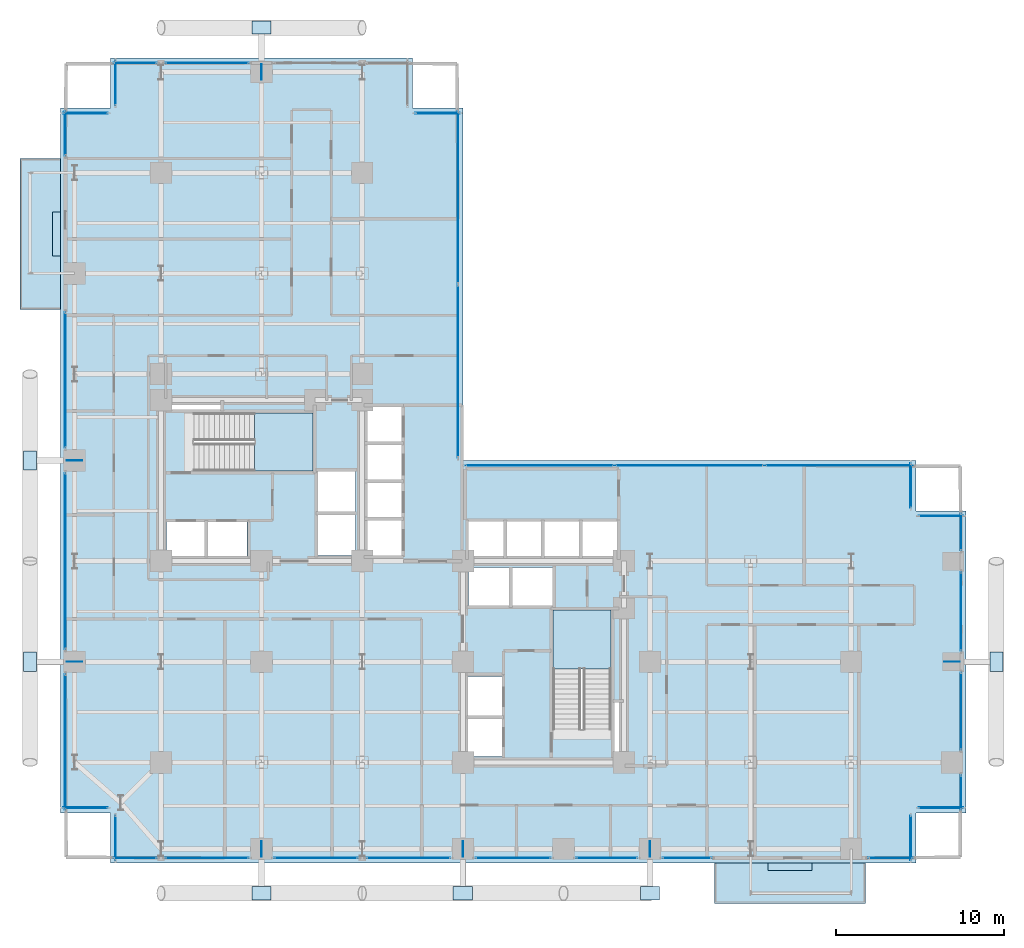
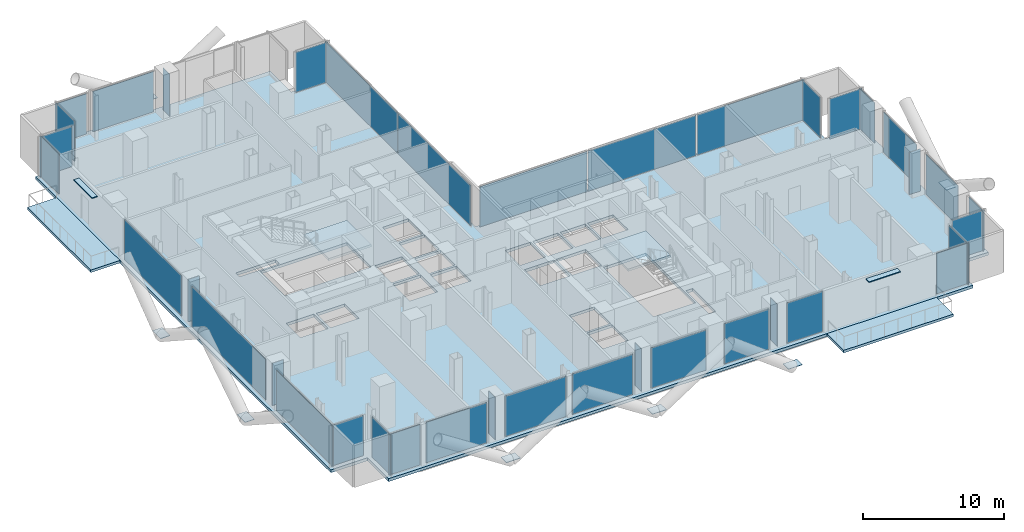
# One storey, part 17 of 27: 48 plates, 5 slabs, 31 elements without a shape of their own.
"""IFC4 building model written with IfcOpenShell, lengths in metres."""

from ifc_helpers import new_model, si_unit, direction, frame, origin, origin_2d, place, context, subcontext, project, spatial, polyline, rectangle, outline, extrude, material, layer, layer_set, type_object, element, aggregate, save


model = new_model("IFC4")

# Units and contexts
model_context = context("Model", 3, precision=1e-05, world=origin(), true_north=direction((0.0, 1.0)))
body_context = subcontext(model_context, "Body", "Model", "MODEL_VIEW")
ifc_project = project(units=[si_unit("LENGTHUNIT", "METRE"), si_unit("AREAUNIT", "SQUARE_METRE"), si_unit("VOLUMEUNIT", "CUBIC_METRE"), si_unit("PLANEANGLEUNIT", "RADIAN"), si_unit("MASSUNIT", "GRAM", prefix="KILO"), si_unit("THERMODYNAMICTEMPERATUREUNIT", "KELVIN"), si_unit("POWERUNIT", "WATT")], contexts=[model_context])

# Site, building, storey
site_placement = place(None, origin())
site = spatial("IfcSite", under=ifc_project, at=site_placement, CompositionType="ELEMENT")
building_placement = place(site_placement, origin())
building = spatial("IfcBuilding", under=site, at=building_placement, Name="Svarakhadi Broadcast Tower", CompositionType="ELEMENT")
storey_placement = place(building_placement, frame((0.0, 0.0, 75.300048828125)))
storey = spatial("IfcBuildingStorey", under=building, at=storey_placement, Name="L17", CompositionType="ELEMENT", Elevation=75.300048828125)

# Curtain wall, plate
ifc_material_1 = material(Name="Anodised Bronze Aluminium AA 6063-T6", Category="aluminium")
ifc_layer_1 = layer(ifc_material_1, 0.219970703125)
ifc_layer_set_1 = layer_set([ifc_layer_1], Name="Anodised Bronze Aluminium AA 6063-T6")
curtain_wall_type = type_object("IfcCurtainWallType", Name="CW_Sys_02", PredefinedType="NOTDEFINED", material=ifc_layer_set_1)
curtain_wall_1_placement = place(storey_placement, origin())
curtain_wall_1 = element("IfcCurtainWall", 1, at=curtain_wall_1_placement, inside=storey, type_object=curtain_wall_type, Name="L17 Unitised Facade Curtain Wall 01", PredefinedType="NOTDEFINED")
ifc_material_2 = material(Name="Double Low-E Laminated Acoustic Glass IGU 36 mm", Category="glass")
ifc_layer_2 = layer(ifc_material_2, 0.035888671875)
ifc_layer_set_2 = layer_set([ifc_layer_2], Name="Double Low-E Laminated Acoustic Glass IGU 36 mm")
plate_type_1 = type_object("IfcPlateType", Name="CW_Sys_02_Pnl", PredefinedType="CURTAIN_PANEL", material=ifc_layer_set_2)
plate_1_placement = place(storey_placement, frame((1.5, 3.300048828125, 0.074951171875), z_axis=(0.0, 0.0, 1.0), x_axis=(-1.0, 0.0, 0.0)))
plate_1 = element("IfcPlate", 2, at=plate_1_placement, type_object=plate_type_1, Name="CW-02 panel 1.1", PredefinedType="CURTAIN_PANEL", context=body_context, shape_type="SweptSolid", body=[
    extrude(rectangle(XDim=2.64990234375, YDim=0.035888671875, at=origin_2d()), origin(), (0.0, 0.0, 1.0), 3.5),
])
aggregate(curtain_wall_1, [plate_1])

curtain_wall_2_placement = place(storey_placement, origin())
curtain_wall_2 = element("IfcCurtainWall", 3, at=curtain_wall_2_placement, inside=storey, type_object=curtain_wall_type, Name="L17 West Curtain Wall 02 Bay 1", PredefinedType="NOTDEFINED")
plate_2_placement = place(storey_placement, frame((0.300048828125, 7.2099609375, 0.074951171875), z_axis=(0.0, 0.0, 1.0), x_axis=(0.0, 1.0, 0.0)))
plate_2 = element("IfcPlate", 4, at=plate_2_placement, type_object=plate_type_1, Name="CW-02 panel 1.1", PredefinedType="CURTAIN_PANEL", context=body_context, shape_type="SweptSolid", body=[
    extrude(rectangle(XDim=8.070068359375, YDim=0.035888671875, at=origin_2d()), origin(), (0.0, 0.0, 1.0), 3.5),
])
aggregate(curtain_wall_2, [plate_2])

curtain_wall_3_placement = place(storey_placement, origin())
curtain_wall_3 = element("IfcCurtainWall", 5, at=curtain_wall_3_placement, inside=storey, type_object=curtain_wall_type, Name="L17 West Curtain Wall 02 Bay 2", PredefinedType="NOTDEFINED")
plate_3_placement = place(storey_placement, frame((0.300048828125, 18.0, 0.074951171875), z_axis=(0.0, 0.0, 1.0), x_axis=(0.0, 1.0, 0.0)))
plate_3 = element("IfcPlate", 6, at=plate_3_placement, type_object=plate_type_1, Name="CW-02 panel 1.1", PredefinedType="CURTAIN_PANEL", context=body_context, shape_type="SweptSolid", body=[
    extrude(rectangle(XDim=10.489990234375, YDim=0.035888671875, at=origin_2d()), origin(), (0.0, 0.0, 1.0), 3.5),
])
aggregate(curtain_wall_3, [plate_3])

curtain_wall_4_placement = place(storey_placement, origin())
curtain_wall_4 = element("IfcCurtainWall", 7, at=curtain_wall_4_placement, inside=storey, type_object=curtain_wall_type, Name="L17 West Curtain Wall 02 Bay 3", PredefinedType="NOTDEFINED")
plate_4_placement = place(storey_placement, frame((0.300048828125, 28.7900390625, 0.074951171875), z_axis=(0.0, 0.0, 1.0), x_axis=(0.0, 1.0, 0.0)))
plate_4 = element("IfcPlate", 8, at=plate_4_placement, type_object=plate_type_1, Name="CW-02 panel 1.1", PredefinedType="CURTAIN_PANEL", context=body_context, shape_type="SweptSolid", body=[
    extrude(rectangle(XDim=8.070068359375, YDim=0.035888671875, at=origin_2d()), origin(), (0.0, 0.0, 1.0), 3.5),
])
aggregate(curtain_wall_4, [plate_4])

curtain_wall_5_placement = place(storey_placement, origin())
curtain_wall_5 = element("IfcCurtainWall", 9, at=curtain_wall_5_placement, inside=storey, type_object=curtain_wall_type, Name="L17 West Curtain Wall 03", PredefinedType="NOTDEFINED")
plate_5_placement = place(storey_placement, frame((0.300048828125, 43.5, 0.074951171875), z_axis=(0.0, 0.0, 1.0), x_axis=(0.0, 1.0, 0.0)))
plate_5 = element("IfcPlate", 10, at=plate_5_placement, type_object=plate_type_1, Name="CW-02 panel 1.1", PredefinedType="CURTAIN_PANEL", context=body_context, shape_type="SweptSolid", body=[
    extrude(rectangle(XDim=2.64990234375, YDim=0.035888671875, at=origin_2d()), origin(), (0.0, 0.0, 1.0), 3.5),
])
aggregate(curtain_wall_5, [plate_5])

curtain_wall_6_placement = place(storey_placement, origin())
curtain_wall_6 = element("IfcCurtainWall", 11, at=curtain_wall_6_placement, inside=storey, type_object=curtain_wall_type, Name="L17 Unitised Facade Curtain Wall 04", PredefinedType="NOTDEFINED")
plate_6_placement = place(storey_placement, frame((1.5, 44.699951171875, 0.074951171875), z_axis=(0.0, 0.0, 1.0), x_axis=(1.0, 0.0, 0.0)))
plate_6 = element("IfcPlate", 12, at=plate_6_placement, type_object=plate_type_1, Name="CW-02 panel 1.1", PredefinedType="CURTAIN_PANEL", context=body_context, shape_type="SweptSolid", body=[
    extrude(rectangle(XDim=2.64990234375, YDim=0.035888671875, at=origin_2d()), origin(), (0.0, 0.0, 1.0), 3.5),
])
aggregate(curtain_wall_6, [plate_6])

curtain_wall_7_placement = place(storey_placement, origin())
curtain_wall_7 = element("IfcCurtainWall", 13, at=curtain_wall_7_placement, inside=storey, type_object=curtain_wall_type, Name="L17 Unitised Facade Curtain Wall 05", PredefinedType="NOTDEFINED")
plate_7_placement = place(storey_placement, frame((3.300048828125, 46.5, 0.074951171875), z_axis=(0.0, 0.0, 1.0), x_axis=(0.0, 1.0, 0.0)))
plate_7 = element("IfcPlate", 14, at=plate_7_placement, type_object=plate_type_1, Name="CW-02 panel 1.1", PredefinedType="CURTAIN_PANEL", context=body_context, shape_type="SweptSolid", body=[
    extrude(rectangle(XDim=2.64990234375, YDim=0.035888671875, at=origin_2d()), origin(), (0.0, 0.0, 1.0), 3.5),
])
aggregate(curtain_wall_7, [plate_7])

curtain_wall_8_placement = place(storey_placement, origin())
curtain_wall_8 = element("IfcCurtainWall", 15, at=curtain_wall_8_placement, inside=storey, type_object=curtain_wall_type, Name="L17 Unitised Facade Curtain Wall 06 Bay 1", PredefinedType="NOTDEFINED")
plate_8_placement = place(storey_placement, frame((4.4599609375, 47.699951171875, 0.074951171875), z_axis=(0.0, 0.0, 1.0), x_axis=(1.0, 0.0, 0.0)))
plate_8 = element("IfcPlate", 16, at=plate_8_placement, type_object=plate_type_1, Name="CW-02 panel 1.1", PredefinedType="CURTAIN_PANEL", context=body_context, shape_type="SweptSolid", body=[
    extrude(rectangle(XDim=2.570068359375, YDim=0.035888671875, at=origin_2d()), origin(), (0.0, 0.0, 1.0), 3.5),
])
aggregate(curtain_wall_8, [plate_8])

curtain_wall_9_placement = place(storey_placement, origin())
curtain_wall_9 = element("IfcCurtainWall", 17, at=curtain_wall_9_placement, inside=storey, type_object=curtain_wall_type, Name="L17 Unitised Facade Curtain Wall 06 Bay 2", PredefinedType="NOTDEFINED")
plate_9_placement = place(storey_placement, frame((8.75, 47.699951171875, 0.074951171875), z_axis=(0.0, 0.0, 1.0), x_axis=(1.0, 0.0, 0.0)))
plate_9 = element("IfcPlate", 18, at=plate_9_placement, type_object=plate_type_1, Name="CW-02 panel 1.1", PredefinedType="CURTAIN_PANEL", context=body_context, shape_type="SweptSolid", body=[
    extrude(rectangle(XDim=4.989990234375, YDim=0.035888671875, at=origin_2d()), origin(), (0.0, 0.0, 1.0), 3.5),
])
aggregate(curtain_wall_9, [plate_9])

curtain_wall_10_placement = place(storey_placement, origin())
curtain_wall_10 = element("IfcCurtainWall", 19, at=curtain_wall_10_placement, inside=storey, type_object=curtain_wall_type, Name="L17 Unitised Facade Curtain Wall 08", PredefinedType="NOTDEFINED")
plate_10_placement = place(storey_placement, frame((22.5, 44.699951171875, 0.074951171875), z_axis=(0.0, 0.0, 1.0), x_axis=(1.0, 0.0, 0.0)))
plate_10 = element("IfcPlate", 20, at=plate_10_placement, type_object=plate_type_1, Name="CW-02 panel 1.1", PredefinedType="CURTAIN_PANEL", context=body_context, shape_type="SweptSolid", body=[
    extrude(rectangle(XDim=2.64990234375, YDim=0.035888671875, at=origin_2d()), origin(), (0.0, 0.0, 1.0), 3.5),
])
aggregate(curtain_wall_10, [plate_10])

# Curtain wall, plates
curtain_wall_11_placement = place(storey_placement, origin())
curtain_wall_11 = element("IfcCurtainWall", 21, at=curtain_wall_11_placement, inside=storey, type_object=curtain_wall_type, Name="L17 Unitised Facade Curtain Wall 09", PredefinedType="NOTDEFINED")
plate_11_placement = place(storey_placement, frame((23.699951171875, 39.683837890625, 0.074951171875), z_axis=(0.0, 0.0, 1.0), x_axis=(0.0, -1.0, 0.0)))
plate_11 = element("IfcPlate", 22, at=plate_11_placement, type_object=plate_type_1, Name="CW-02 panel 1.1", PredefinedType="CURTAIN_PANEL", context=body_context, shape_type="SweptSolid", body=[
    extrude(rectangle(XDim=10.282470703125, YDim=0.035888671875, at=origin_2d()), origin(), (0.0, 0.0, 1.0), 3.5),
])
plate_12_placement = place(storey_placement, frame((23.699951171875, 29.316162109375, 0.074951171875), z_axis=(0.0, 0.0, 1.0), x_axis=(0.0, -1.0, 0.0)))
plate_12 = element("IfcPlate", 23, at=plate_12_placement, type_object=plate_type_1, Name="CW-02 panel 2.1", PredefinedType="CURTAIN_PANEL", context=body_context, shape_type="SweptSolid", body=[
    extrude(rectangle(XDim=10.282470703125, YDim=0.035888671875, at=origin_2d()), origin(), (0.0, 0.0, 1.0), 3.5),
])
aggregate(curtain_wall_11, [plate_11, plate_12])

curtain_wall_12_placement = place(storey_placement, origin())
curtain_wall_12 = element("IfcCurtainWall", 24, at=curtain_wall_12_placement, inside=storey, type_object=curtain_wall_type, Name="L17 Unitised Facade Curtain Wall 10", PredefinedType="NOTDEFINED")
plate_13_placement = place(storey_placement, frame((28.581298828125, 23.699951171875, 0.074951171875), z_axis=(0.0, 0.0, 1.0), x_axis=(1.0, 0.0, 0.0)))
plate_13 = element("IfcPlate", 25, at=plate_13_placement, type_object=plate_type_1, Name="CW-02 panel 1.1", PredefinedType="CURTAIN_PANEL", context=body_context, shape_type="SweptSolid", body=[
    extrude(rectangle(XDim=8.8125, YDim=0.035888671875, at=origin_2d()), origin(), (0.0, 0.0, 1.0), 3.5),
])
plate_14_placement = place(storey_placement, frame((37.5, 23.699951171875, 0.074951171875), z_axis=(0.0, 0.0, 1.0), x_axis=(1.0, 0.0, 0.0)))
plate_14 = element("IfcPlate", 26, at=plate_14_placement, type_object=plate_type_1, Name="CW-02 panel 2.1", PredefinedType="CURTAIN_PANEL", context=body_context, shape_type="SweptSolid", body=[
    extrude(rectangle(XDim=8.85498046875, YDim=0.035888671875, at=origin_2d()), origin(), (0.0, 0.0, 1.0), 3.5),
])
plate_15_placement = place(storey_placement, frame((46.418701171875, 23.699951171875, 0.074951171875), z_axis=(0.0, 0.0, 1.0), x_axis=(1.0, 0.0, 0.0)))
plate_15 = element("IfcPlate", 27, at=plate_15_placement, type_object=plate_type_1, Name="CW-02 panel 3.1", PredefinedType="CURTAIN_PANEL", context=body_context, shape_type="SweptSolid", body=[
    extrude(rectangle(XDim=8.8125, YDim=0.035888671875, at=origin_2d()), origin(), (0.0, 0.0, 1.0), 3.5),
])
aggregate(curtain_wall_12, [plate_13, plate_14, plate_15])

# Curtain wall, plate
curtain_wall_13_placement = place(storey_placement, origin())
curtain_wall_13 = element("IfcCurtainWall", 28, at=curtain_wall_13_placement, inside=storey, type_object=curtain_wall_type, Name="L17 Unitised Facade Curtain Wall 11", PredefinedType="NOTDEFINED")
plate_16_placement = place(storey_placement, frame((50.699951171875, 22.5, 0.074951171875), z_axis=(0.0, 0.0, 1.0), x_axis=(0.0, -1.0, 0.0)))
plate_16 = element("IfcPlate", 29, at=plate_16_placement, type_object=plate_type_1, Name="CW-02 panel 1.1", PredefinedType="CURTAIN_PANEL", context=body_context, shape_type="SweptSolid", body=[
    extrude(rectangle(XDim=2.64990234375, YDim=0.035888671875, at=origin_2d()), origin(), (0.0, 0.0, 1.0), 3.5),
])
aggregate(curtain_wall_13, [plate_16])

curtain_wall_14_placement = place(storey_placement, origin())
curtain_wall_14 = element("IfcCurtainWall", 30, at=curtain_wall_14_placement, inside=storey, type_object=curtain_wall_type, Name="L17 Unitised Facade Curtain Wall 12", PredefinedType="NOTDEFINED")
plate_17_placement = place(storey_placement, frame((52.5, 20.699951171875, 0.074951171875), z_axis=(0.0, 0.0, 1.0), x_axis=(1.0, 0.0, 0.0)))
plate_17 = element("IfcPlate", 31, at=plate_17_placement, type_object=plate_type_1, Name="CW-02 panel 1.1", PredefinedType="CURTAIN_PANEL", context=body_context, shape_type="SweptSolid", body=[
    extrude(rectangle(XDim=2.64990234375, YDim=0.035888671875, at=origin_2d()), origin(), (0.0, 0.0, 1.0), 3.5),
])
aggregate(curtain_wall_14, [plate_17])

curtain_wall_15_placement = place(storey_placement, origin())
curtain_wall_15 = element("IfcCurtainWall", 32, at=curtain_wall_15_placement, inside=storey, type_object=curtain_wall_type, Name="L17 Unitised Facade Curtain Wall 13 Bay 1", PredefinedType="NOTDEFINED")
plate_18_placement = place(storey_placement, frame((53.699951171875, 19.739990234375, 0.074951171875), z_axis=(0.0, 0.0, 1.0), x_axis=(0.0, -1.0, 0.0)))
plate_18 = element("IfcPlate", 33, at=plate_18_placement, type_object=plate_type_1, Name="CW-02 panel 1.1", PredefinedType="CURTAIN_PANEL", context=body_context, shape_type="SweptSolid", body=[
    extrude(rectangle(XDim=2.169921875, YDim=0.035888671875, at=origin_2d()), origin(), (0.0, 0.0, 1.0), 3.5),
])
aggregate(curtain_wall_15, [plate_18])

curtain_wall_16_placement = place(storey_placement, origin())
curtain_wall_16 = element("IfcCurtainWall", 34, at=curtain_wall_16_placement, inside=storey, type_object=curtain_wall_type, Name="L17 Unitised Facade Curtain Wall 13 Bay 2", PredefinedType="NOTDEFINED")
plate_19_placement = place(storey_placement, frame((53.699951171875, 15.0, 0.074951171875), z_axis=(0.0, 0.0, 1.0), x_axis=(0.0, -1.0, 0.0)))
plate_19 = element("IfcPlate", 35, at=plate_19_placement, type_object=plate_type_1, Name="CW-02 panel 1.1", PredefinedType="CURTAIN_PANEL", context=body_context, shape_type="SweptSolid", body=[
    extrude(rectangle(XDim=4.68994140625, YDim=0.035888671875, at=origin_2d()), origin(), (0.0, 0.0, 1.0), 3.5),
])
aggregate(curtain_wall_16, [plate_19])

curtain_wall_17_placement = place(storey_placement, origin())
curtain_wall_17 = element("IfcCurtainWall", 36, at=curtain_wall_17_placement, inside=storey, type_object=curtain_wall_type, Name="L17 Unitised Facade Curtain Wall 13 Bay 3", PredefinedType="NOTDEFINED")
plate_20_placement = place(storey_placement, frame((53.699951171875, 9.050048828125, 0.074951171875), z_axis=(0.0, 0.0, 1.0), x_axis=(0.0, -1.0, 0.0)))
plate_20 = element("IfcPlate", 37, at=plate_20_placement, type_object=plate_type_1, Name="CW-02 panel 1.1", PredefinedType="CURTAIN_PANEL", context=body_context, shape_type="SweptSolid", body=[
    extrude(rectangle(XDim=4.590087890625, YDim=0.035888671875, at=origin_2d()), origin(), (0.0, 0.0, 1.0), 3.5),
])
aggregate(curtain_wall_17, [plate_20])

curtain_wall_18_placement = place(storey_placement, origin())
curtain_wall_18 = element("IfcCurtainWall", 38, at=curtain_wall_18_placement, inside=storey, type_object=curtain_wall_type, Name="L17 Unitised Facade Curtain Wall 13 Bay 4", PredefinedType="NOTDEFINED")
plate_21_placement = place(storey_placement, frame((53.699951171875, 4.2099609375, 0.074951171875), z_axis=(0.0, 0.0, 1.0), x_axis=(0.0, -1.0, 0.0)))
plate_21 = element("IfcPlate", 39, at=plate_21_placement, type_object=plate_type_1, Name="CW-02 panel 1.1", PredefinedType="CURTAIN_PANEL", context=body_context, shape_type="SweptSolid", body=[
    extrude(rectangle(XDim=2.070068359375, YDim=0.035888671875, at=origin_2d()), origin(), (0.0, 0.0, 1.0), 3.5),
])
aggregate(curtain_wall_18, [plate_21])

curtain_wall_19_placement = place(storey_placement, origin())
curtain_wall_19 = element("IfcCurtainWall", 40, at=curtain_wall_19_placement, inside=storey, type_object=curtain_wall_type, Name="L17 Unitised Facade Curtain Wall 14", PredefinedType="NOTDEFINED")
plate_22_placement = place(storey_placement, frame((52.5, 3.300048828125, 0.074951171875), z_axis=(0.0, 0.0, 1.0), x_axis=(-1.0, 0.0, 0.0)))
plate_22 = element("IfcPlate", 41, at=plate_22_placement, type_object=plate_type_1, Name="CW-02 panel 1.1", PredefinedType="CURTAIN_PANEL", context=body_context, shape_type="SweptSolid", body=[
    extrude(rectangle(XDim=2.64990234375, YDim=0.035888671875, at=origin_2d()), origin(), (0.0, 0.0, 1.0), 3.5),
])
aggregate(curtain_wall_19, [plate_22])

curtain_wall_20_placement = place(storey_placement, origin())
curtain_wall_20 = element("IfcCurtainWall", 42, at=curtain_wall_20_placement, inside=storey, type_object=curtain_wall_type, Name="L17 Unitised Facade Curtain Wall 15", PredefinedType="NOTDEFINED")
plate_23_placement = place(storey_placement, frame((50.699951171875, 1.5, 0.074951171875), z_axis=(0.0, 0.0, 1.0), x_axis=(0.0, -1.0, 0.0)))
plate_23 = element("IfcPlate", 43, at=plate_23_placement, type_object=plate_type_1, Name="CW-02 panel 1.1", PredefinedType="CURTAIN_PANEL", context=body_context, shape_type="SweptSolid", body=[
    extrude(rectangle(XDim=2.64990234375, YDim=0.035888671875, at=origin_2d()), origin(), (0.0, 0.0, 1.0), 3.5),
])
aggregate(curtain_wall_20, [plate_23])

curtain_wall_21_placement = place(storey_placement, origin())
curtain_wall_21 = element("IfcCurtainWall", 44, at=curtain_wall_21_placement, inside=storey, type_object=curtain_wall_type, Name="L17 South Curtain Wall 16", PredefinedType="NOTDEFINED")
plate_24_placement = place(storey_placement, frame((49.5, 0.300048828125, 0.074951171875), z_axis=(0.0, 0.0, 1.0), x_axis=(-1.0, 0.0, 0.0)))
plate_24 = element("IfcPlate", 45, at=plate_24_placement, type_object=plate_type_1, Name="CW-02 panel 1.1", PredefinedType="CURTAIN_PANEL", context=body_context, shape_type="SweptSolid", body=[
    extrude(rectangle(XDim=2.64990234375, YDim=0.035888671875, at=origin_2d()), origin(), (0.0, 0.0, 1.0), 3.5),
])
aggregate(curtain_wall_21, [plate_24])

curtain_wall_22_placement = place(storey_placement, origin())
curtain_wall_22 = element("IfcCurtainWall", 46, at=curtain_wall_22_placement, inside=storey, type_object=curtain_wall_type, Name="L17 South Curtain Wall 17 Bay 1", PredefinedType="NOTDEFINED")
plate_25_placement = place(storey_placement, frame((37.364990234375, 0.300048828125, 0.074951171875), z_axis=(0.0, 0.0, 1.0), x_axis=(-1.0, 0.0, 0.0)))
plate_25 = element("IfcPlate", 47, at=plate_25_placement, type_object=plate_type_1, Name="CW-02 panel 1.1", PredefinedType="CURTAIN_PANEL", context=body_context, shape_type="SweptSolid", body=[
    extrude(rectangle(XDim=2.919921875, YDim=0.035888671875, at=origin_2d()), origin(), (0.0, 0.0, 1.0), 3.5),
])
aggregate(curtain_wall_22, [plate_25])

curtain_wall_23_placement = place(storey_placement, origin())
curtain_wall_23 = element("IfcCurtainWall", 48, at=curtain_wall_23_placement, inside=storey, type_object=curtain_wall_type, Name="L17 South Curtain Wall 17 Bay 2", PredefinedType="NOTDEFINED")
plate_26_placement = place(storey_placement, frame((32.574951171875, 0.300048828125, 0.074951171875), z_axis=(0.0, 0.0, 1.0), x_axis=(-1.0, 0.0, 0.0)))
plate_26 = element("IfcPlate", 49, at=plate_26_placement, type_object=plate_type_1, Name="CW-02 panel 1.1", PredefinedType="CURTAIN_PANEL", context=body_context, shape_type="SweptSolid", body=[
    extrude(rectangle(XDim=3.639892578125, YDim=0.035888671875, at=origin_2d()), origin(), (0.0, 0.0, 1.0), 3.5),
])
aggregate(curtain_wall_23, [plate_26])

curtain_wall_24_placement = place(storey_placement, origin())
curtain_wall_24 = element("IfcCurtainWall", 50, at=curtain_wall_24_placement, inside=storey, type_object=curtain_wall_type, Name="L17 South Curtain Wall 17 Bay 3", PredefinedType="NOTDEFINED")
plate_27_placement = place(storey_placement, frame((27.0, 0.300048828125, 0.074951171875), z_axis=(0.0, 0.0, 1.0), x_axis=(-1.0, 0.0, 0.0)))
plate_27 = element("IfcPlate", 51, at=plate_27_placement, type_object=plate_type_1, Name="CW-02 panel 1.1", PredefinedType="CURTAIN_PANEL", context=body_context, shape_type="SweptSolid", body=[
    extrude(rectangle(XDim=4.489990234375, YDim=0.035888671875, at=origin_2d()), origin(), (0.0, 0.0, 1.0), 3.5),
])
aggregate(curtain_wall_24, [plate_27])

curtain_wall_25_placement = place(storey_placement, origin())
curtain_wall_25 = element("IfcCurtainWall", 52, at=curtain_wall_25_placement, inside=storey, type_object=curtain_wall_type, Name="L17 South Curtain Wall 17 Bay 4", PredefinedType="NOTDEFINED")
plate_28_placement = place(storey_placement, frame((20.75, 0.300048828125, 0.074951171875), z_axis=(0.0, 0.0, 1.0), x_axis=(-1.0, 0.0, 0.0)))
plate_28 = element("IfcPlate", 53, at=plate_28_placement, type_object=plate_type_1, Name="CW-02 panel 1.1", PredefinedType="CURTAIN_PANEL", context=body_context, shape_type="SweptSolid", body=[
    extrude(rectangle(XDim=4.989990234375, YDim=0.035888671875, at=origin_2d()), origin(), (0.0, 0.0, 1.0), 3.5),
])
aggregate(curtain_wall_25, [plate_28])

curtain_wall_26_placement = place(storey_placement, origin())
curtain_wall_26 = element("IfcCurtainWall", 54, at=curtain_wall_26_placement, inside=storey, type_object=curtain_wall_type, Name="L17 South Curtain Wall 17 Bay 5", PredefinedType="NOTDEFINED")
plate_29_placement = place(storey_placement, frame((15.25, 0.300048828125, 0.074951171875), z_axis=(0.0, 0.0, 1.0), x_axis=(-1.0, 0.0, 0.0)))
plate_29 = element("IfcPlate", 55, at=plate_29_placement, type_object=plate_type_1, Name="CW-02 panel 1.1", PredefinedType="CURTAIN_PANEL", context=body_context, shape_type="SweptSolid", body=[
    extrude(rectangle(XDim=4.989990234375, YDim=0.035888671875, at=origin_2d()), origin(), (0.0, 0.0, 1.0), 3.5),
])
aggregate(curtain_wall_26, [plate_29])

curtain_wall_27_placement = place(storey_placement, origin())
curtain_wall_27 = element("IfcCurtainWall", 56, at=curtain_wall_27_placement, inside=storey, type_object=curtain_wall_type, Name="L17 South Curtain Wall 17 Bay 6", PredefinedType="NOTDEFINED")
plate_30_placement = place(storey_placement, frame((8.75, 0.300048828125, 0.074951171875), z_axis=(0.0, 0.0, 1.0), x_axis=(-1.0, 0.0, 0.0)))
plate_30 = element("IfcPlate", 57, at=plate_30_placement, type_object=plate_type_1, Name="CW-02 panel 1.1", PredefinedType="CURTAIN_PANEL", context=body_context, shape_type="SweptSolid", body=[
    extrude(rectangle(XDim=4.989990234375, YDim=0.035888671875, at=origin_2d()), origin(), (0.0, 0.0, 1.0), 3.5),
])
aggregate(curtain_wall_27, [plate_30])

curtain_wall_28_placement = place(storey_placement, origin())
curtain_wall_28 = element("IfcCurtainWall", 58, at=curtain_wall_28_placement, inside=storey, type_object=curtain_wall_type, Name="L17 South Curtain Wall 17 Bay 7", PredefinedType="NOTDEFINED")
plate_31_placement = place(storey_placement, frame((4.4599609375, 0.300048828125, 0.074951171875), z_axis=(0.0, 0.0, 1.0), x_axis=(-1.0, 0.0, 0.0)))
plate_31 = element("IfcPlate", 59, at=plate_31_placement, type_object=plate_type_1, Name="CW-02 panel 1.1", PredefinedType="CURTAIN_PANEL", context=body_context, shape_type="SweptSolid", body=[
    extrude(rectangle(XDim=2.570068359375, YDim=0.035888671875, at=origin_2d()), origin(), (0.0, 0.0, 1.0), 3.5),
])
aggregate(curtain_wall_28, [plate_31])

curtain_wall_29_placement = place(storey_placement, origin())
curtain_wall_29 = element("IfcCurtainWall", 60, at=curtain_wall_29_placement, inside=storey, type_object=curtain_wall_type, Name="L17 Unitised Facade Curtain Wall 18", PredefinedType="NOTDEFINED")
plate_32_placement = place(storey_placement, frame((3.300048828125, 1.5, 0.074951171875), z_axis=(0.0, 0.0, 1.0), x_axis=(0.0, 1.0, 0.0)))
plate_32 = element("IfcPlate", 61, at=plate_32_placement, type_object=plate_type_1, Name="CW-02 panel 1.1", PredefinedType="CURTAIN_PANEL", context=body_context, shape_type="SweptSolid", body=[
    extrude(rectangle(XDim=2.64990234375, YDim=0.035888671875, at=origin_2d()), origin(), (0.0, 0.0, 1.0), 3.5),
])
aggregate(curtain_wall_29, [plate_32])

# Plates
ifc_material_3 = material(Name="Steel S460ML (IS 2062 E450BR)", Category="steel")
ifc_layer_3 = layer(ifc_material_3, 0.035888671875)
ifc_layer_set_3 = layer_set([ifc_layer_3], Name="Steel S460ML (IS 2062 E450BR)")
plate_type_2 = type_object("IfcPlateType", Name="Node_Gusset_N01", PredefinedType="SHEET", material=ifc_layer_set_3)
for number, where, z_axis, x_axis, name in (
    (62, (12.0, -1.800048828125, -0.25), (0.0, 0.0, 1.0), (1.0, 0.0, 0.0), "L17 Exoskeleton Gusset Node Plate S01"),
    (63, (24.0, -1.800048828125, -0.25), (0.0, 0.0, 1.0), (1.0, 0.0, 0.0), "L17 Exoskeleton Gusset Node Plate S02"),
    (64, (35.14990234375, -1.800048828125, -0.25), (0.0, 0.0, 1.0), (1.0, 0.0, 0.0), "L17 Exoskeleton Gusset Node Plate S03"),
    (65, (-1.800048828125, 12.0, -0.25), (0.0, 0.0, 1.0), (0.0, 1.0, 0.0), "L17 Exoskeleton Gusset Node Plate W04"),
    (66, (-1.800048828125, 24.0, -0.25), (0.0, 0.0, 1.0), (0.0, 1.0, 0.0), "L17 Exoskeleton Gusset Node Plate W05"),
    (67, (55.800048828125, 12.0, -0.25), (0.0, 0.0, 1.0), (0.0, 1.0, 0.0), "L17 Exoskeleton Gusset Node Plate E06"),
    (68, (12.0, 49.800048828125, -0.25), (0.0, 0.0, 1.0), (1.0, 0.0, 0.0), "L17 Exoskeleton Gusset Node Plate N07"),
):
    element("IfcPlate", number, at=place(storey_placement, frame(where, z_axis=z_axis, x_axis=x_axis)), inside=storey, type_object=plate_type_2, Name=name, PredefinedType="SHEET", context=body_context, shape_type="SweptSolid", body=[
        extrude(rectangle(XDim=1.14990234375, YDim=0.780029296875, at=origin_2d()), origin(), (0.0, 0.0, 1.0), 0.035888671875),
    ])
ifc_layer_4 = layer(ifc_material_3, 0.02587890625)
ifc_layer_set_4 = layer_set([ifc_layer_4], Name="Steel S460ML (IS 2062 E450BR)")
plate_type_3 = type_object("IfcPlateType", Name="Node_Gusset_N07", PredefinedType="SHEET", material=ifc_layer_set_4)
for number, where, z_axis, x_axis, name in (
    (69, (12.0, 0.85009765625, -0.6279296875), (0.0, 0.0, 1.0), (0.0, 1.0, 0.0), "L17 Brace End Connection Gusset Plate N-07-E0122"),
    (70, (24.0, 0.85009765625, -0.6279296875), (0.0, 0.0, 1.0), (0.0, 1.0, 0.0), "L17 Brace End Connection Gusset Plate N-07-E0123"),
    (71, (35.14990234375, 0.85009765625, -0.6279296875), (0.0, 0.0, 1.0), (0.0, 1.0, 0.0), "L17 Brace End Connection Gusset Plate N-07-E0124"),
    (72, (0.85009765625, 12.0, -0.6279296875), (0.0, 0.0, 1.0), (1.0, 0.0, 0.0), "L17 Brace End Connection Gusset Plate N-07-E0125"),
    (73, (0.85009765625, 24.0, -0.6279296875), (0.0, 0.0, 1.0), (1.0, 0.0, 0.0), "L17 Brace End Connection Gusset Plate N-07-E0126"),
    (74, (53.14990234375, 12.0, -0.6279296875), (0.0, 0.0, 1.0), (1.0, 0.0, 0.0), "L17 Brace End Connection Gusset Plate N-07-E0127"),
    (75, (12.0, 47.14990234375, -0.6279296875), (0.0, 0.0, 1.0), (0.0, 1.0, 0.0), "L17 Brace End Connection Gusset Plate N-07-E0128"),
):
    element("IfcPlate", number, at=place(storey_placement, frame(where, z_axis=z_axis, x_axis=x_axis)), inside=storey, type_object=plate_type_3, Name=name, PredefinedType="SHEET", context=body_context, shape_type="SweptSolid", body=[
        extrude(rectangle(XDim=0.919921875, YDim=0.02587890625, at=origin_2d()), origin(), (0.0, 0.0, 1.0), 4.300048828125),
    ])

# Slab
ifc_material_4 = material(Name="Concrete C40/50 (IS 456 M50)", Category="concrete")
ifc_layer_5 = layer(ifc_material_4, 0.25)
ifc_layer_set_5 = layer_set([ifc_layer_5], Name="Concrete C40/50 (IS 456 M50)")
slab_type_1 = type_object("IfcSlabType", Name="Slab_Floor_250", PredefinedType="FLOOR", material=ifc_layer_set_5)
slab_1_placement = place(storey_placement, frame((0.0, 0.0, -0.25)))
element("IfcSlab", 76, at=slab_1_placement, inside=storey, type_object=slab_type_1, Name="L17 Structural Floor Slab", PredefinedType="FLOOR", context=body_context, shape_type="SweptSolid", body=[
    extrude(outline(polyline([(3.0, 0.0), (51.0, 0.0), (51.0, 3.0), (54.0, 3.0), (54.0, 21.0), (51.0, 21.0), (51.0, 24.0), (24.0, 24.0), (24.0, 45.0), (21.0, 45.0), (21.0, 48.0), (3.0, 48.0), (3.0, 45.0), (0.0, 45.0), (0.0, 3.0), (3.0, 3.0), (3.0, 0.0)]), holes=[polyline([(7.97998046875, 23.360107421875), (15.080078125, 23.360107421875), (15.080078125, 26.840087890625), (7.97998046875, 26.840087890625), (7.97998046875, 23.360107421875)]), polyline([(32.840087890625, 7.97998046875), (32.840087890625, 15.080078125), (29.360107421875, 15.080078125), (29.360107421875, 7.97998046875), (32.840087890625, 7.97998046875)]), polyline([(6.340087890625, 18.2900390625), (8.610107421875, 18.2900390625), (8.610107421875, 20.330078125), (6.340087890625, 20.330078125), (6.340087890625, 18.2900390625)]), polyline([(8.7900390625, 18.2900390625), (11.1298828125, 18.2900390625), (11.1298828125, 20.330078125), (8.7900390625, 20.330078125), (8.7900390625, 18.2900390625)]), polyline([(24.2900390625, 6.340087890625), (26.330078125, 6.340087890625), (26.330078125, 8.610107421875), (24.2900390625, 8.610107421875), (24.2900390625, 6.340087890625)]), polyline([(24.2900390625, 8.7900390625), (26.330078125, 8.7900390625), (26.330078125, 11.1298828125), (24.2900390625, 11.1298828125), (24.2900390625, 8.7900390625)]), polyline([(6.340087890625, 26.989990234375), (9.610107421875, 26.989990234375), (9.610107421875, 27.530029296875), (6.340087890625, 27.530029296875), (6.340087890625, 26.989990234375)]), polyline([(32.989990234375, 6.340087890625), (33.530029296875, 6.340087890625), (33.530029296875, 9.610107421875), (32.989990234375, 9.610107421875), (32.989990234375, 6.340087890625)]), polyline([(15.340087890625, 18.340087890625), (17.610107421875, 18.340087890625), (17.610107421875, 20.760009765625), (15.340087890625, 20.760009765625), (15.340087890625, 18.340087890625)]), polyline([(15.340087890625, 20.93994140625), (17.610107421875, 20.93994140625), (17.610107421875, 23.360107421875), (15.340087890625, 23.360107421875), (15.340087890625, 20.93994140625)]), polyline([(24.340087890625, 15.340087890625), (26.760009765625, 15.340087890625), (26.760009765625, 17.610107421875), (24.340087890625, 17.610107421875), (24.340087890625, 15.340087890625)]), polyline([(26.93994140625, 15.340087890625), (29.360107421875, 15.340087890625), (29.360107421875, 17.610107421875), (26.93994140625, 17.610107421875), (26.93994140625, 15.340087890625)]), polyline([(18.239990234375, 18.340087890625), (20.360107421875, 18.340087890625), (20.360107421875, 20.429931640625), (18.239990234375, 20.429931640625), (18.239990234375, 18.340087890625)]), polyline([(18.239990234375, 20.610107421875), (20.360107421875, 20.610107421875), (20.360107421875, 22.679931640625), (18.239990234375, 22.679931640625), (18.239990234375, 20.610107421875)]), polyline([(18.239990234375, 22.860107421875), (20.360107421875, 22.860107421875), (20.360107421875, 24.929931640625), (18.239990234375, 24.929931640625), (18.239990234375, 22.860107421875)]), polyline([(18.239990234375, 25.110107421875), (20.360107421875, 25.110107421875), (20.360107421875, 27.2099609375), (18.239990234375, 27.2099609375), (18.239990234375, 25.110107421875)]), polyline([(24.340087890625, 18.239990234375), (26.429931640625, 18.239990234375), (26.429931640625, 20.360107421875), (24.340087890625, 20.360107421875), (24.340087890625, 18.239990234375)]), polyline([(26.610107421875, 18.239990234375), (28.679931640625, 18.239990234375), (28.679931640625, 20.360107421875), (26.610107421875, 20.360107421875), (26.610107421875, 18.239990234375)]), polyline([(28.860107421875, 18.239990234375), (30.929931640625, 18.239990234375), (30.929931640625, 20.360107421875), (28.860107421875, 20.360107421875), (28.860107421875, 18.239990234375)]), polyline([(31.110107421875, 18.239990234375), (33.2099609375, 18.239990234375), (33.2099609375, 20.360107421875), (31.110107421875, 20.360107421875), (31.110107421875, 18.239990234375)])]), origin(), (0.0, 0.0, 1.0), 0.25),
])

# Stair, slab
stair_type = type_object("IfcStairType", Name="Stair_Exit_Core", PredefinedType="HALF_TURN_STAIR", material=ifc_material_4)
stair_1_placement = place(storey_placement, origin())
stair_1 = element("IfcStair", 77, at=stair_1_placement, inside=storey, type_object=stair_type, Name="L17 West Core Protected Exit Stair ST-01", PredefinedType="HALF_TURN_STAIR")
ifc_layer_6 = layer(ifc_material_4, 0.199951171875)
ifc_layer_set_6 = layer_set([ifc_layer_6], Name="Concrete C40/50 (IS 456 M50)")
slab_type_2 = type_object("IfcSlabType", Name="Slab_Stair_Land", PredefinedType="LANDING", material=ifc_layer_set_6)
slab_2_placement = place(storey_placement, frame((0.0, 0.0, 1.75)))
slab_2 = element("IfcSlab", 78, at=slab_2_placement, type_object=slab_type_2, Name="ST-01 landing 1", PredefinedType="LANDING", context=body_context, shape_type="SweptSolid", body=[
    extrude(outline(polyline([(11.580078125, 23.360107421875), (15.080078125, 23.360107421875), (15.080078125, 26.840087890625), (11.580078125, 26.840087890625), (11.580078125, 23.360107421875)])), origin(), (0.0, 0.0, 1.0), 0.199951171875),
])
aggregate(stair_1, [slab_2])

stair_2_placement = place(storey_placement, origin())
stair_2 = element("IfcStair", 79, at=stair_2_placement, inside=storey, type_object=stair_type, Name="L17 East Core Protected Exit Stair ST-02", PredefinedType="HALF_TURN_STAIR")
slab_3_placement = place(storey_placement, frame((0.0, 0.0, 1.75)))
slab_3 = element("IfcSlab", 80, at=slab_3_placement, type_object=slab_type_2, Name="ST-02 landing 1", PredefinedType="LANDING", context=body_context, shape_type="SweptSolid", body=[
    extrude(outline(polyline([(32.840087890625, 11.580078125), (32.840087890625, 15.080078125), (29.360107421875, 15.080078125), (29.360107421875, 11.580078125), (32.840087890625, 11.580078125)])), origin(), (0.0, 0.0, 1.0), 0.199951171875),
])
aggregate(stair_2, [slab_3])

# Slabs
ifc_layer_7 = layer(ifc_material_4, 0.22509765625)
ifc_layer_set_7 = layer_set([ifc_layer_7], Name="Concrete C40/50 (IS 456 M50)")
slab_type_3 = type_object("IfcSlabType", Name="Slab_TreeBalcony", PredefinedType="FLOOR", material=ifc_layer_set_7)
slab_4_placement = place(storey_placement, frame((0.0, 0.0, -0.22509765625)))
element("IfcSlab", 81, at=slab_4_placement, inside=storey, type_object=slab_type_3, Name="L17 Planted Tree Balcony Slab BAL-E", PredefinedType="FLOOR", context=body_context, shape_type="SweptSolid", body=[
    extrude(outline(polyline([(39.0, -2.39990234375), (48.0, -2.39990234375), (48.0, 0.0), (39.0, 0.0), (39.0, -2.39990234375)])), origin(), (0.0, 0.0, 1.0), 0.22509765625),
])
slab_5_placement = place(storey_placement, frame((0.0, 0.0, -0.22509765625)))
element("IfcSlab", 82, at=slab_5_placement, inside=storey, type_object=slab_type_3, Name="L17 Planted Tree Balcony Slab BAL-N", PredefinedType="FLOOR", context=body_context, shape_type="SweptSolid", body=[
    extrude(outline(polyline([(-2.39990234375, 33.0), (0.0, 33.0), (0.0, 42.0), (-2.39990234375, 42.0), (-2.39990234375, 33.0)])), origin(), (0.0, 0.0, 1.0), 0.22509765625),
])

# Plates
ifc_layer_8 = layer(ifc_material_1, 0.080078125)
ifc_layer_set_8 = layer_set([ifc_layer_8], Name="Anodised Bronze Aluminium AA 6063-T6")
plate_type_4 = type_object("IfcPlateType", Name="Sunshade_Fin_SS01", PredefinedType="USERDEFINED", material=ifc_layer_set_8)
for number, where, z_axis, x_axis, name in (
    (83, (43.5, -0.22509765625, 3.56982421875), (0.0, 0.0, 1.0), (1.0, 0.0, 0.0), "L17 South Bronze Brise-Soleil Sunshade SS-01"),
    (84, (-0.22509765625, 37.5, 3.56982421875), (0.0, 0.0, 1.0), (0.0, 1.0, 0.0), "L17 West Bronze Brise-Soleil Sunshade SS-01"),
):
    element("IfcPlate", number, at=place(storey_placement, frame(where, z_axis=z_axis, x_axis=x_axis)), inside=storey, type_object=plate_type_4, Name=name, ObjectType="SUNSHADE", PredefinedType="USERDEFINED", context=body_context, shape_type="SweptSolid", body=[
        extrude(rectangle(XDim=2.60009765625, YDim=0.449951171875, at=origin_2d()), origin(), (0.0, 0.0, 1.0), 0.080078125),
    ])

save(model, "model.ifc")
